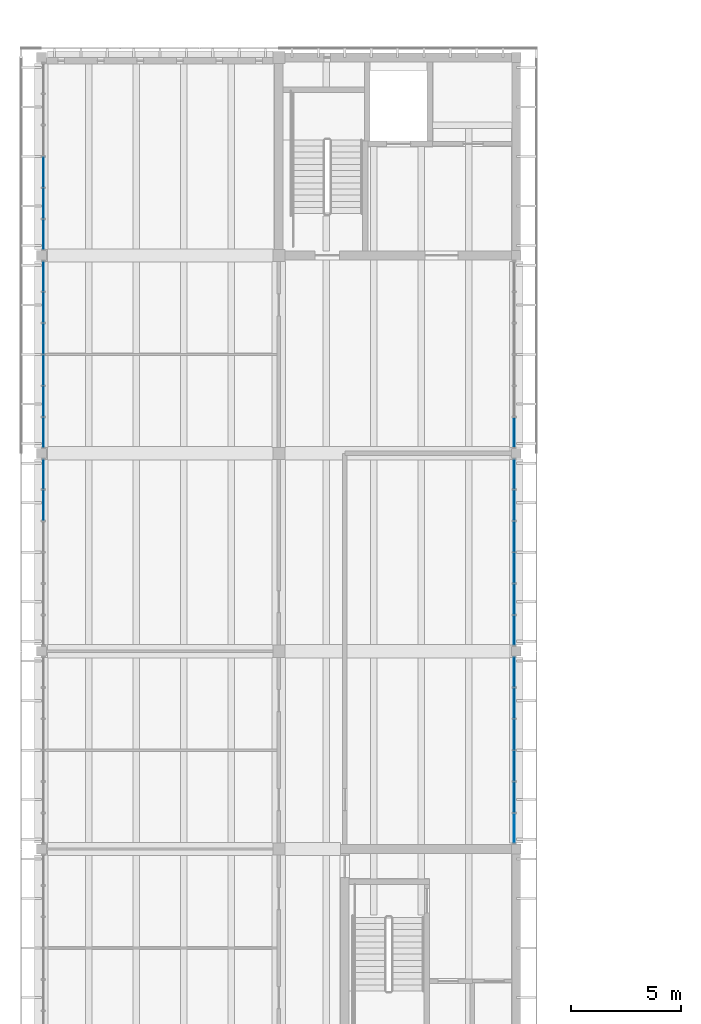
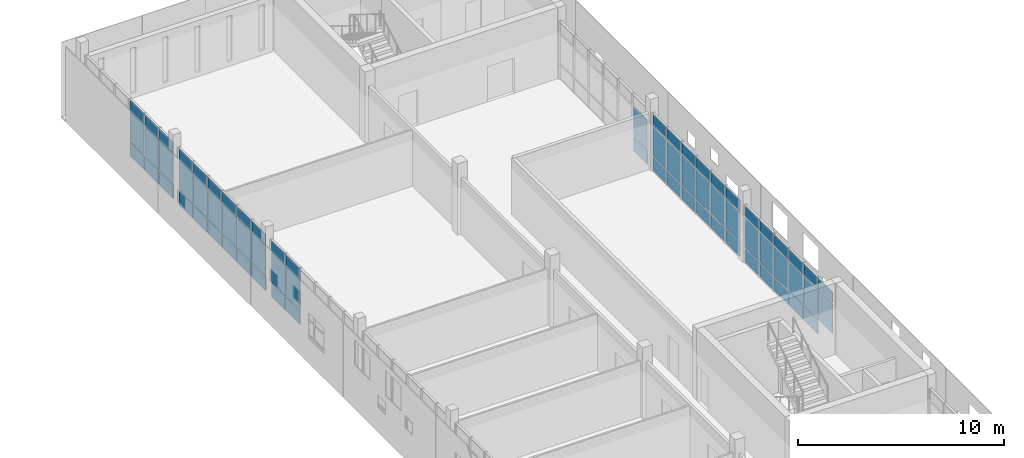
# One storey, part 25 of 50: 70 plates, 6 elements without a shape of their own.
"""IFC4 building model written with IfcOpenShell, lengths in metres."""

from ifc_helpers import new_model, si_unit, direction, frame, origin, origin_2d, place, context, subcontext, project, spatial, rectangle, extrude, material, layer, layer_set, type_object, element, aggregate, save


model = new_model("IFC4")

# Units and contexts
model_context = context("Model", 3, precision=1e-05, world=origin(), true_north=direction((0.0, 1.0)))
body_context = subcontext(model_context, "Body", "Model", "MODEL_VIEW")
ifc_project = project(units=[si_unit("LENGTHUNIT", "METRE"), si_unit("AREAUNIT", "SQUARE_METRE"), si_unit("VOLUMEUNIT", "CUBIC_METRE"), si_unit("PLANEANGLEUNIT", "RADIAN"), si_unit("MASSUNIT", "GRAM", prefix="KILO")], contexts=[model_context])

# Site, building, storey
site_placement = place(None, origin())
site = spatial("IfcSite", under=ifc_project, at=site_placement, CompositionType="ELEMENT")
building_placement = place(site_placement, origin())
building = spatial("IfcBuilding", under=site, at=building_placement, Name="Merrow Basin Faculty of Sciences", CompositionType="ELEMENT")
storey_placement = place(building_placement, frame((0.0, 0.0, 18.0)))
storey = spatial("IfcBuildingStorey", under=building, at=storey_placement, Name="L04", CompositionType="ELEMENT", Elevation=18.0)

# Curtain wall, plates
ifc_material_1 = material(Name="Aluminium alloy 6063", Category="aluminium")
curtain_wall_type = type_object("IfcCurtainWallType", Name="Bar unitised curtain wall 180", PredefinedType="NOTDEFINED", material=ifc_material_1)
curtain_wall_1_placement = place(storey_placement, origin())
curtain_wall_1 = element("IfcCurtainWall", 1, at=curtain_wall_1_placement, inside=storey, type_object=curtain_wall_type, Name="West curtain wall L04 5", PredefinedType="NOTDEFINED")
ifc_material_2 = material(Name="Insulated aluminium spandrel panel", Category="aluminium")
ifc_layer_1 = layer(ifc_material_2, 0.052001953125)
ifc_layer_set_1 = layer_set([ifc_layer_1], Name="Insulated spandrel panel 52")
plate_type_1 = type_object("IfcPlateType", Name="Insulated spandrel panel 52", PredefinedType="CURTAIN_PANEL", material=ifc_layer_set_1)
plate_1_placement = place(storey_placement, frame((0.090087890625, 112.637451171875, 0.06005859375), z_axis=(0.0, 0.0, 1.0), x_axis=(0.0, 1.0, 0.0)))
plate_1 = element("IfcPlate", 2, at=plate_1_placement, type_object=plate_type_1, Name="CW1 panel 5.1", PredefinedType="CURTAIN_PANEL", context=body_context, shape_type="SweptSolid", body=[
    extrude(rectangle(XDim=1.364990234375, YDim=0.052001953125, at=origin_2d()), origin(), (0.0, 0.0, 1.0), 0.81005859375),
])
plate_2_placement = place(storey_placement, frame((0.090087890625, 114.047607421875, 0.06005859375), z_axis=(0.0, 0.0, 1.0), x_axis=(0.0, 1.0, 0.0)))
plate_2 = element("IfcPlate", 3, at=plate_2_placement, type_object=plate_type_1, Name="CW1 panel 6.1", PredefinedType="CURTAIN_PANEL", context=body_context, shape_type="SweptSolid", body=[
    extrude(rectangle(XDim=1.3349609375, YDim=0.052001953125, at=origin_2d()), origin(), (0.0, 0.0, 1.0), 0.81005859375),
])

curtain_wall_2_placement = place(storey_placement, origin())
curtain_wall_2 = element("IfcCurtainWall", 4, at=curtain_wall_2_placement, inside=storey, type_object=curtain_wall_type, Name="West curtain wall L04 6", PredefinedType="NOTDEFINED")
plate_3_placement = place(storey_placement, frame((0.090087890625, 115.952392578125, 0.06005859375), z_axis=(0.0, 0.0, 1.0), x_axis=(0.0, 1.0, 0.0)))
plate_3 = element("IfcPlate", 5, at=plate_3_placement, type_object=plate_type_1, Name="CW1 panel 1.1", PredefinedType="CURTAIN_PANEL", context=body_context, shape_type="SweptSolid", body=[
    extrude(rectangle(XDim=1.3349609375, YDim=0.052001953125, at=origin_2d()), origin(), (0.0, 0.0, 1.0), 0.81005859375),
])
plate_4_placement = place(storey_placement, frame((0.090087890625, 117.362548828125, 0.06005859375), z_axis=(0.0, 0.0, 1.0), x_axis=(0.0, 1.0, 0.0)))
plate_4 = element("IfcPlate", 6, at=plate_4_placement, type_object=plate_type_1, Name="CW1 panel 2.1", PredefinedType="CURTAIN_PANEL", context=body_context, shape_type="SweptSolid", body=[
    extrude(rectangle(XDim=1.364990234375, YDim=0.052001953125, at=origin_2d()), origin(), (0.0, 0.0, 1.0), 0.81005859375),
])
plate_5_placement = place(storey_placement, frame((0.090087890625, 118.78759765625, 0.06005859375), z_axis=(0.0, 0.0, 1.0), x_axis=(0.0, 1.0, 0.0)))
plate_5 = element("IfcPlate", 7, at=plate_5_placement, type_object=plate_type_1, Name="CW1 panel 3.1", PredefinedType="CURTAIN_PANEL", context=body_context, shape_type="SweptSolid", body=[
    extrude(rectangle(XDim=1.364990234375, YDim=0.052001953125, at=origin_2d()), origin(), (0.0, 0.0, 1.0), 0.81005859375),
])
plate_6_placement = place(storey_placement, frame((0.090087890625, 120.21240234375, 0.06005859375), z_axis=(0.0, 0.0, 1.0), x_axis=(0.0, 1.0, 0.0)))
plate_6 = element("IfcPlate", 8, at=plate_6_placement, type_object=plate_type_1, Name="CW1 panel 4.1", PredefinedType="CURTAIN_PANEL", context=body_context, shape_type="SweptSolid", body=[
    extrude(rectangle(XDim=1.364990234375, YDim=0.052001953125, at=origin_2d()), origin(), (0.0, 0.0, 1.0), 0.81005859375),
])
plate_7_placement = place(storey_placement, frame((0.090087890625, 121.637451171875, 0.06005859375), z_axis=(0.0, 0.0, 1.0), x_axis=(0.0, 1.0, 0.0)))
plate_7 = element("IfcPlate", 9, at=plate_7_placement, type_object=plate_type_1, Name="CW1 panel 5.1", PredefinedType="CURTAIN_PANEL", context=body_context, shape_type="SweptSolid", body=[
    extrude(rectangle(XDim=1.364990234375, YDim=0.052001953125, at=origin_2d()), origin(), (0.0, 0.0, 1.0), 0.81005859375),
])
plate_8_placement = place(storey_placement, frame((0.090087890625, 123.047607421875, 0.06005859375), z_axis=(0.0, 0.0, 1.0), x_axis=(0.0, 1.0, 0.0)))
plate_8 = element("IfcPlate", 10, at=plate_8_placement, type_object=plate_type_1, Name="CW1 panel 6.1", PredefinedType="CURTAIN_PANEL", context=body_context, shape_type="SweptSolid", body=[
    extrude(rectangle(XDim=1.3349609375, YDim=0.052001953125, at=origin_2d()), origin(), (0.0, 0.0, 1.0), 0.81005859375),
])

curtain_wall_3_placement = place(storey_placement, origin())
curtain_wall_3 = element("IfcCurtainWall", 11, at=curtain_wall_3_placement, inside=storey, type_object=curtain_wall_type, Name="West curtain wall L04 7", PredefinedType="NOTDEFINED")
plate_9_placement = place(storey_placement, frame((0.090087890625, 124.952392578125, 0.06005859375), z_axis=(0.0, 0.0, 1.0), x_axis=(0.0, 1.0, 0.0)))
plate_9 = element("IfcPlate", 12, at=plate_9_placement, type_object=plate_type_1, Name="CW1 panel 1.1", PredefinedType="CURTAIN_PANEL", context=body_context, shape_type="SweptSolid", body=[
    extrude(rectangle(XDim=1.3349609375, YDim=0.052001953125, at=origin_2d()), origin(), (0.0, 0.0, 1.0), 0.81005859375),
])
plate_10_placement = place(storey_placement, frame((0.090087890625, 126.362548828125, 0.06005859375), z_axis=(0.0, 0.0, 1.0), x_axis=(0.0, 1.0, 0.0)))
plate_10 = element("IfcPlate", 13, at=plate_10_placement, type_object=plate_type_1, Name="CW1 panel 2.1", PredefinedType="CURTAIN_PANEL", context=body_context, shape_type="SweptSolid", body=[
    extrude(rectangle(XDim=1.364990234375, YDim=0.052001953125, at=origin_2d()), origin(), (0.0, 0.0, 1.0), 0.81005859375),
])
plate_11_placement = place(storey_placement, frame((0.090087890625, 127.78759765625, 0.06005859375), z_axis=(0.0, 0.0, 1.0), x_axis=(0.0, 1.0, 0.0)))
plate_11 = element("IfcPlate", 14, at=plate_11_placement, type_object=plate_type_1, Name="CW1 panel 3.1", PredefinedType="CURTAIN_PANEL", context=body_context, shape_type="SweptSolid", body=[
    extrude(rectangle(XDim=1.364990234375, YDim=0.052001953125, at=origin_2d()), origin(), (0.0, 0.0, 1.0), 0.81005859375),
])

curtain_wall_4_placement = place(storey_placement, origin())
curtain_wall_4 = element("IfcCurtainWall", 15, at=curtain_wall_4_placement, inside=storey, type_object=curtain_wall_type, Name="East curtain wall L04 4", PredefinedType="NOTDEFINED")
plate_12_placement = place(storey_placement, frame((21.510009765625, 99.362548828125, 0.06005859375), z_axis=(0.0, 0.0, 1.0), x_axis=(0.0, 1.0, 0.0)))
plate_12 = element("IfcPlate", 16, at=plate_12_placement, type_object=plate_type_1, Name="CW1 panel 2.1", PredefinedType="CURTAIN_PANEL", context=body_context, shape_type="SweptSolid", body=[
    extrude(rectangle(XDim=1.364990234375, YDim=0.052001953125, at=origin_2d()), origin(), (0.0, 0.0, 1.0), 0.81005859375),
])
plate_13_placement = place(storey_placement, frame((21.510009765625, 100.78759765625, 0.06005859375), z_axis=(0.0, 0.0, 1.0), x_axis=(0.0, 1.0, 0.0)))
plate_13 = element("IfcPlate", 17, at=plate_13_placement, type_object=plate_type_1, Name="CW1 panel 3.1", PredefinedType="CURTAIN_PANEL", context=body_context, shape_type="SweptSolid", body=[
    extrude(rectangle(XDim=1.364990234375, YDim=0.052001953125, at=origin_2d()), origin(), (0.0, 0.0, 1.0), 0.81005859375),
])
plate_14_placement = place(storey_placement, frame((21.510009765625, 102.21240234375, 0.06005859375), z_axis=(0.0, 0.0, 1.0), x_axis=(0.0, 1.0, 0.0)))
plate_14 = element("IfcPlate", 18, at=plate_14_placement, type_object=plate_type_1, Name="CW1 panel 4.1", PredefinedType="CURTAIN_PANEL", context=body_context, shape_type="SweptSolid", body=[
    extrude(rectangle(XDim=1.364990234375, YDim=0.052001953125, at=origin_2d()), origin(), (0.0, 0.0, 1.0), 0.81005859375),
])
plate_15_placement = place(storey_placement, frame((21.510009765625, 103.637451171875, 0.06005859375), z_axis=(0.0, 0.0, 1.0), x_axis=(0.0, 1.0, 0.0)))
plate_15 = element("IfcPlate", 19, at=plate_15_placement, type_object=plate_type_1, Name="CW1 panel 5.1", PredefinedType="CURTAIN_PANEL", context=body_context, shape_type="SweptSolid", body=[
    extrude(rectangle(XDim=1.364990234375, YDim=0.052001953125, at=origin_2d()), origin(), (0.0, 0.0, 1.0), 0.81005859375),
])
plate_16_placement = place(storey_placement, frame((21.510009765625, 105.047607421875, 0.06005859375), z_axis=(0.0, 0.0, 1.0), x_axis=(0.0, 1.0, 0.0)))
plate_16 = element("IfcPlate", 20, at=plate_16_placement, type_object=plate_type_1, Name="CW1 panel 6.1", PredefinedType="CURTAIN_PANEL", context=body_context, shape_type="SweptSolid", body=[
    extrude(rectangle(XDim=1.3349609375, YDim=0.052001953125, at=origin_2d()), origin(), (0.0, 0.0, 1.0), 0.81005859375),
])

curtain_wall_5_placement = place(storey_placement, origin())
curtain_wall_5 = element("IfcCurtainWall", 21, at=curtain_wall_5_placement, inside=storey, type_object=curtain_wall_type, Name="East curtain wall L04 5", PredefinedType="NOTDEFINED")
plate_17_placement = place(storey_placement, frame((21.510009765625, 106.952392578125, 0.06005859375), z_axis=(0.0, 0.0, 1.0), x_axis=(0.0, 1.0, 0.0)))
plate_17 = element("IfcPlate", 22, at=plate_17_placement, type_object=plate_type_1, Name="CW1 panel 1.1", PredefinedType="CURTAIN_PANEL", context=body_context, shape_type="SweptSolid", body=[
    extrude(rectangle(XDim=1.3349609375, YDim=0.052001953125, at=origin_2d()), origin(), (0.0, 0.0, 1.0), 0.81005859375),
])
plate_18_placement = place(storey_placement, frame((21.510009765625, 108.362548828125, 0.06005859375), z_axis=(0.0, 0.0, 1.0), x_axis=(0.0, 1.0, 0.0)))
plate_18 = element("IfcPlate", 23, at=plate_18_placement, type_object=plate_type_1, Name="CW1 panel 2.1", PredefinedType="CURTAIN_PANEL", context=body_context, shape_type="SweptSolid", body=[
    extrude(rectangle(XDim=1.364990234375, YDim=0.052001953125, at=origin_2d()), origin(), (0.0, 0.0, 1.0), 0.81005859375),
])
plate_19_placement = place(storey_placement, frame((21.510009765625, 109.78759765625, 0.06005859375), z_axis=(0.0, 0.0, 1.0), x_axis=(0.0, 1.0, 0.0)))
plate_19 = element("IfcPlate", 24, at=plate_19_placement, type_object=plate_type_1, Name="CW1 panel 3.1", PredefinedType="CURTAIN_PANEL", context=body_context, shape_type="SweptSolid", body=[
    extrude(rectangle(XDim=1.364990234375, YDim=0.052001953125, at=origin_2d()), origin(), (0.0, 0.0, 1.0), 0.81005859375),
])
plate_20_placement = place(storey_placement, frame((21.510009765625, 111.21240234375, 0.06005859375), z_axis=(0.0, 0.0, 1.0), x_axis=(0.0, 1.0, 0.0)))
plate_20 = element("IfcPlate", 25, at=plate_20_placement, type_object=plate_type_1, Name="CW1 panel 4.1", PredefinedType="CURTAIN_PANEL", context=body_context, shape_type="SweptSolid", body=[
    extrude(rectangle(XDim=1.364990234375, YDim=0.052001953125, at=origin_2d()), origin(), (0.0, 0.0, 1.0), 0.81005859375),
])
plate_21_placement = place(storey_placement, frame((21.510009765625, 112.637451171875, 0.06005859375), z_axis=(0.0, 0.0, 1.0), x_axis=(0.0, 1.0, 0.0)))
plate_21 = element("IfcPlate", 26, at=plate_21_placement, type_object=plate_type_1, Name="CW1 panel 5.1", PredefinedType="CURTAIN_PANEL", context=body_context, shape_type="SweptSolid", body=[
    extrude(rectangle(XDim=1.364990234375, YDim=0.052001953125, at=origin_2d()), origin(), (0.0, 0.0, 1.0), 0.81005859375),
])
plate_22_placement = place(storey_placement, frame((21.510009765625, 114.047607421875, 0.06005859375), z_axis=(0.0, 0.0, 1.0), x_axis=(0.0, 1.0, 0.0)))
plate_22 = element("IfcPlate", 27, at=plate_22_placement, type_object=plate_type_1, Name="CW1 panel 6.1", PredefinedType="CURTAIN_PANEL", context=body_context, shape_type="SweptSolid", body=[
    extrude(rectangle(XDim=1.3349609375, YDim=0.052001953125, at=origin_2d()), origin(), (0.0, 0.0, 1.0), 0.81005859375),
])

# Curtain wall, plate
curtain_wall_6_placement = place(storey_placement, origin())
curtain_wall_6 = element("IfcCurtainWall", 28, at=curtain_wall_6_placement, inside=storey, type_object=curtain_wall_type, Name="East curtain wall L04 6", PredefinedType="NOTDEFINED")
plate_23_placement = place(storey_placement, frame((21.510009765625, 115.952392578125, 0.06005859375), z_axis=(0.0, 0.0, 1.0), x_axis=(0.0, 1.0, 0.0)))
plate_23 = element("IfcPlate", 29, at=plate_23_placement, type_object=plate_type_1, Name="CW1 panel 1.1", PredefinedType="CURTAIN_PANEL", context=body_context, shape_type="SweptSolid", body=[
    extrude(rectangle(XDim=1.3349609375, YDim=0.052001953125, at=origin_2d()), origin(), (0.0, 0.0, 1.0), 0.81005859375),
])

# Plate
ifc_material_3 = material(Name="Low-E double glazing", Category="glass")
ifc_layer_2 = layer(ifc_material_3, 0.028076171875)
ifc_layer_set_2 = layer_set([ifc_layer_2], Name="Low-E double glazed panel 28")
plate_type_2 = type_object("IfcPlateType", Name="Low-E double glazed panel 28", PredefinedType="CURTAIN_PANEL", material=ifc_layer_set_2)
plate_24_placement = place(storey_placement, frame((0.090087890625, 112.637451171875, 0.93017578125), z_axis=(0.0, 0.0, 1.0), x_axis=(0.0, 1.0, 0.0)))
plate_24 = element("IfcPlate", 30, at=plate_24_placement, type_object=plate_type_2, Name="CW1 panel 5.2", PredefinedType="CURTAIN_PANEL", context=body_context, shape_type="SweptSolid", body=[
    extrude(rectangle(XDim=1.364990234375, YDim=0.028076171875, at=origin_2d()), origin(), (0.0, 0.0, 1.0), 1.739990234375),
])

plate_25_placement = place(storey_placement, frame((0.090087890625, 112.637451171875, 2.72998046875), z_axis=(0.0, 0.0, 1.0), x_axis=(0.0, 1.0, 0.0)))
plate_25 = element("IfcPlate", 31, at=plate_25_placement, type_object=plate_type_2, Name="CW1 panel 5.3", PredefinedType="CURTAIN_PANEL", context=body_context, shape_type="SweptSolid", body=[
    extrude(rectangle(XDim=1.364990234375, YDim=0.028076171875, at=origin_2d()), origin(), (0.0, 0.0, 1.0), 0.659912109375),
])

plate_26_placement = place(storey_placement, frame((0.090087890625, 114.047607421875, 0.93017578125), z_axis=(0.0, 0.0, 1.0), x_axis=(0.0, 1.0, 0.0)))
plate_26 = element("IfcPlate", 32, at=plate_26_placement, type_object=plate_type_2, Name="CW1 panel 6.2", PredefinedType="CURTAIN_PANEL", context=body_context, shape_type="SweptSolid", body=[
    extrude(rectangle(XDim=1.3349609375, YDim=0.028076171875, at=origin_2d()), origin(), (0.0, 0.0, 1.0), 1.739990234375),
])

plate_27_placement = place(storey_placement, frame((0.090087890625, 114.047607421875, 2.72998046875), z_axis=(0.0, 0.0, 1.0), x_axis=(0.0, 1.0, 0.0)))
plate_27 = element("IfcPlate", 33, at=plate_27_placement, type_object=plate_type_2, Name="CW1 panel 6.3", PredefinedType="CURTAIN_PANEL", context=body_context, shape_type="SweptSolid", body=[
    extrude(rectangle(XDim=1.3349609375, YDim=0.028076171875, at=origin_2d()), origin(), (0.0, 0.0, 1.0), 0.659912109375),
])

aggregate(curtain_wall_1, [plate_1, plate_24, plate_25, plate_2, plate_26, plate_27])

plate_28_placement = place(storey_placement, frame((0.090087890625, 115.952392578125, 0.93017578125), z_axis=(0.0, 0.0, 1.0), x_axis=(0.0, 1.0, 0.0)))
plate_28 = element("IfcPlate", 34, at=plate_28_placement, type_object=plate_type_2, Name="CW1 panel 1.2", PredefinedType="CURTAIN_PANEL", context=body_context, shape_type="SweptSolid", body=[
    extrude(rectangle(XDim=1.3349609375, YDim=0.028076171875, at=origin_2d()), origin(), (0.0, 0.0, 1.0), 1.739990234375),
])

plate_29_placement = place(storey_placement, frame((0.090087890625, 115.952392578125, 2.72998046875), z_axis=(0.0, 0.0, 1.0), x_axis=(0.0, 1.0, 0.0)))
plate_29 = element("IfcPlate", 35, at=plate_29_placement, type_object=plate_type_2, Name="CW1 panel 1.3", PredefinedType="CURTAIN_PANEL", context=body_context, shape_type="SweptSolid", body=[
    extrude(rectangle(XDim=1.3349609375, YDim=0.028076171875, at=origin_2d()), origin(), (0.0, 0.0, 1.0), 0.659912109375),
])

plate_30_placement = place(storey_placement, frame((0.090087890625, 117.362548828125, 0.93017578125), z_axis=(0.0, 0.0, 1.0), x_axis=(0.0, 1.0, 0.0)))
plate_30 = element("IfcPlate", 36, at=plate_30_placement, type_object=plate_type_2, Name="CW1 panel 2.2", PredefinedType="CURTAIN_PANEL", context=body_context, shape_type="SweptSolid", body=[
    extrude(rectangle(XDim=1.364990234375, YDim=0.028076171875, at=origin_2d()), origin(), (0.0, 0.0, 1.0), 1.739990234375),
])

plate_31_placement = place(storey_placement, frame((0.090087890625, 117.362548828125, 2.72998046875), z_axis=(0.0, 0.0, 1.0), x_axis=(0.0, 1.0, 0.0)))
plate_31 = element("IfcPlate", 37, at=plate_31_placement, type_object=plate_type_2, Name="CW1 panel 2.3", PredefinedType="CURTAIN_PANEL", context=body_context, shape_type="SweptSolid", body=[
    extrude(rectangle(XDim=1.364990234375, YDim=0.028076171875, at=origin_2d()), origin(), (0.0, 0.0, 1.0), 0.659912109375),
])

plate_32_placement = place(storey_placement, frame((0.090087890625, 118.78759765625, 0.93017578125), z_axis=(0.0, 0.0, 1.0), x_axis=(0.0, 1.0, 0.0)))
plate_32 = element("IfcPlate", 38, at=plate_32_placement, type_object=plate_type_2, Name="CW1 panel 3.2", PredefinedType="CURTAIN_PANEL", context=body_context, shape_type="SweptSolid", body=[
    extrude(rectangle(XDim=1.364990234375, YDim=0.028076171875, at=origin_2d()), origin(), (0.0, 0.0, 1.0), 1.739990234375),
])

plate_33_placement = place(storey_placement, frame((0.090087890625, 118.78759765625, 2.72998046875), z_axis=(0.0, 0.0, 1.0), x_axis=(0.0, 1.0, 0.0)))
plate_33 = element("IfcPlate", 39, at=plate_33_placement, type_object=plate_type_2, Name="CW1 panel 3.3", PredefinedType="CURTAIN_PANEL", context=body_context, shape_type="SweptSolid", body=[
    extrude(rectangle(XDim=1.364990234375, YDim=0.028076171875, at=origin_2d()), origin(), (0.0, 0.0, 1.0), 0.659912109375),
])

plate_34_placement = place(storey_placement, frame((0.090087890625, 120.21240234375, 0.93017578125), z_axis=(0.0, 0.0, 1.0), x_axis=(0.0, 1.0, 0.0)))
plate_34 = element("IfcPlate", 40, at=plate_34_placement, type_object=plate_type_2, Name="CW1 panel 4.2", PredefinedType="CURTAIN_PANEL", context=body_context, shape_type="SweptSolid", body=[
    extrude(rectangle(XDim=1.364990234375, YDim=0.028076171875, at=origin_2d()), origin(), (0.0, 0.0, 1.0), 1.739990234375),
])

plate_35_placement = place(storey_placement, frame((0.090087890625, 120.21240234375, 2.72998046875), z_axis=(0.0, 0.0, 1.0), x_axis=(0.0, 1.0, 0.0)))
plate_35 = element("IfcPlate", 41, at=plate_35_placement, type_object=plate_type_2, Name="CW1 panel 4.3", PredefinedType="CURTAIN_PANEL", context=body_context, shape_type="SweptSolid", body=[
    extrude(rectangle(XDim=1.364990234375, YDim=0.028076171875, at=origin_2d()), origin(), (0.0, 0.0, 1.0), 0.659912109375),
])

plate_36_placement = place(storey_placement, frame((0.090087890625, 121.637451171875, 0.93017578125), z_axis=(0.0, 0.0, 1.0), x_axis=(0.0, 1.0, 0.0)))
plate_36 = element("IfcPlate", 42, at=plate_36_placement, type_object=plate_type_2, Name="CW1 panel 5.2", PredefinedType="CURTAIN_PANEL", context=body_context, shape_type="SweptSolid", body=[
    extrude(rectangle(XDim=1.364990234375, YDim=0.028076171875, at=origin_2d()), origin(), (0.0, 0.0, 1.0), 1.739990234375),
])

plate_37_placement = place(storey_placement, frame((0.090087890625, 121.637451171875, 2.72998046875), z_axis=(0.0, 0.0, 1.0), x_axis=(0.0, 1.0, 0.0)))
plate_37 = element("IfcPlate", 43, at=plate_37_placement, type_object=plate_type_2, Name="CW1 panel 5.3", PredefinedType="CURTAIN_PANEL", context=body_context, shape_type="SweptSolid", body=[
    extrude(rectangle(XDim=1.364990234375, YDim=0.028076171875, at=origin_2d()), origin(), (0.0, 0.0, 1.0), 0.659912109375),
])

plate_38_placement = place(storey_placement, frame((0.090087890625, 123.047607421875, 0.93017578125), z_axis=(0.0, 0.0, 1.0), x_axis=(0.0, 1.0, 0.0)))
plate_38 = element("IfcPlate", 44, at=plate_38_placement, type_object=plate_type_2, Name="CW1 panel 6.2", PredefinedType="CURTAIN_PANEL", context=body_context, shape_type="SweptSolid", body=[
    extrude(rectangle(XDim=1.3349609375, YDim=0.028076171875, at=origin_2d()), origin(), (0.0, 0.0, 1.0), 1.739990234375),
])

plate_39_placement = place(storey_placement, frame((0.090087890625, 123.047607421875, 2.72998046875), z_axis=(0.0, 0.0, 1.0), x_axis=(0.0, 1.0, 0.0)))
plate_39 = element("IfcPlate", 45, at=plate_39_placement, type_object=plate_type_2, Name="CW1 panel 6.3", PredefinedType="CURTAIN_PANEL", context=body_context, shape_type="SweptSolid", body=[
    extrude(rectangle(XDim=1.3349609375, YDim=0.028076171875, at=origin_2d()), origin(), (0.0, 0.0, 1.0), 0.659912109375),
])

aggregate(curtain_wall_2, [plate_3, plate_28, plate_29, plate_4, plate_30, plate_31, plate_5, plate_32, plate_33, plate_6, plate_34, plate_35, plate_7, plate_36, plate_37, plate_8, plate_38, plate_39])

plate_40_placement = place(storey_placement, frame((0.090087890625, 124.952392578125, 0.93017578125), z_axis=(0.0, 0.0, 1.0), x_axis=(0.0, 1.0, 0.0)))
plate_40 = element("IfcPlate", 46, at=plate_40_placement, type_object=plate_type_2, Name="CW1 panel 1.2", PredefinedType="CURTAIN_PANEL", context=body_context, shape_type="SweptSolid", body=[
    extrude(rectangle(XDim=1.3349609375, YDim=0.028076171875, at=origin_2d()), origin(), (0.0, 0.0, 1.0), 1.739990234375),
])

plate_41_placement = place(storey_placement, frame((0.090087890625, 124.952392578125, 2.72998046875), z_axis=(0.0, 0.0, 1.0), x_axis=(0.0, 1.0, 0.0)))
plate_41 = element("IfcPlate", 47, at=plate_41_placement, type_object=plate_type_2, Name="CW1 panel 1.3", PredefinedType="CURTAIN_PANEL", context=body_context, shape_type="SweptSolid", body=[
    extrude(rectangle(XDim=1.3349609375, YDim=0.028076171875, at=origin_2d()), origin(), (0.0, 0.0, 1.0), 0.659912109375),
])

plate_42_placement = place(storey_placement, frame((0.090087890625, 126.362548828125, 0.93017578125), z_axis=(0.0, 0.0, 1.0), x_axis=(0.0, 1.0, 0.0)))
plate_42 = element("IfcPlate", 48, at=plate_42_placement, type_object=plate_type_2, Name="CW1 panel 2.2", PredefinedType="CURTAIN_PANEL", context=body_context, shape_type="SweptSolid", body=[
    extrude(rectangle(XDim=1.364990234375, YDim=0.028076171875, at=origin_2d()), origin(), (0.0, 0.0, 1.0), 1.739990234375),
])

plate_43_placement = place(storey_placement, frame((0.090087890625, 126.362548828125, 2.72998046875), z_axis=(0.0, 0.0, 1.0), x_axis=(0.0, 1.0, 0.0)))
plate_43 = element("IfcPlate", 49, at=plate_43_placement, type_object=plate_type_2, Name="CW1 panel 2.3", PredefinedType="CURTAIN_PANEL", context=body_context, shape_type="SweptSolid", body=[
    extrude(rectangle(XDim=1.364990234375, YDim=0.028076171875, at=origin_2d()), origin(), (0.0, 0.0, 1.0), 0.659912109375),
])

plate_44_placement = place(storey_placement, frame((0.090087890625, 127.78759765625, 0.93017578125), z_axis=(0.0, 0.0, 1.0), x_axis=(0.0, 1.0, 0.0)))
plate_44 = element("IfcPlate", 50, at=plate_44_placement, type_object=plate_type_2, Name="CW1 panel 3.2", PredefinedType="CURTAIN_PANEL", context=body_context, shape_type="SweptSolid", body=[
    extrude(rectangle(XDim=1.364990234375, YDim=0.028076171875, at=origin_2d()), origin(), (0.0, 0.0, 1.0), 1.739990234375),
])

plate_45_placement = place(storey_placement, frame((0.090087890625, 127.78759765625, 2.72998046875), z_axis=(0.0, 0.0, 1.0), x_axis=(0.0, 1.0, 0.0)))
plate_45 = element("IfcPlate", 51, at=plate_45_placement, type_object=plate_type_2, Name="CW1 panel 3.3", PredefinedType="CURTAIN_PANEL", context=body_context, shape_type="SweptSolid", body=[
    extrude(rectangle(XDim=1.364990234375, YDim=0.028076171875, at=origin_2d()), origin(), (0.0, 0.0, 1.0), 0.659912109375),
])

aggregate(curtain_wall_3, [plate_9, plate_40, plate_41, plate_10, plate_42, plate_43, plate_11, plate_44, plate_45])

plate_46_placement = place(storey_placement, frame((21.510009765625, 97.952392578125, 0.93017578125), z_axis=(0.0, 0.0, 1.0), x_axis=(0.0, 1.0, 0.0)))
plate_46 = element("IfcPlate", 52, at=plate_46_placement, type_object=plate_type_2, Name="CW1 panel 1.2", PredefinedType="CURTAIN_PANEL", context=body_context, shape_type="SweptSolid", body=[
    extrude(rectangle(XDim=1.3349609375, YDim=0.028076171875, at=origin_2d()), origin(), (0.0, 0.0, 1.0), 1.739990234375),
])

plate_47_placement = place(storey_placement, frame((21.510009765625, 97.952392578125, 2.72998046875), z_axis=(0.0, 0.0, 1.0), x_axis=(0.0, 1.0, 0.0)))
plate_47 = element("IfcPlate", 53, at=plate_47_placement, type_object=plate_type_2, Name="CW1 panel 1.3", PredefinedType="CURTAIN_PANEL", context=body_context, shape_type="SweptSolid", body=[
    extrude(rectangle(XDim=1.3349609375, YDim=0.028076171875, at=origin_2d()), origin(), (0.0, 0.0, 1.0), 0.659912109375),
])

plate_48_placement = place(storey_placement, frame((21.510009765625, 99.362548828125, 0.93017578125), z_axis=(0.0, 0.0, 1.0), x_axis=(0.0, 1.0, 0.0)))
plate_48 = element("IfcPlate", 54, at=plate_48_placement, type_object=plate_type_2, Name="CW1 panel 2.2", PredefinedType="CURTAIN_PANEL", context=body_context, shape_type="SweptSolid", body=[
    extrude(rectangle(XDim=1.364990234375, YDim=0.028076171875, at=origin_2d()), origin(), (0.0, 0.0, 1.0), 1.739990234375),
])

plate_49_placement = place(storey_placement, frame((21.510009765625, 99.362548828125, 2.72998046875), z_axis=(0.0, 0.0, 1.0), x_axis=(0.0, 1.0, 0.0)))
plate_49 = element("IfcPlate", 55, at=plate_49_placement, type_object=plate_type_2, Name="CW1 panel 2.3", PredefinedType="CURTAIN_PANEL", context=body_context, shape_type="SweptSolid", body=[
    extrude(rectangle(XDim=1.364990234375, YDim=0.028076171875, at=origin_2d()), origin(), (0.0, 0.0, 1.0), 0.659912109375),
])

plate_50_placement = place(storey_placement, frame((21.510009765625, 100.78759765625, 0.93017578125), z_axis=(0.0, 0.0, 1.0), x_axis=(0.0, 1.0, 0.0)))
plate_50 = element("IfcPlate", 56, at=plate_50_placement, type_object=plate_type_2, Name="CW1 panel 3.2", PredefinedType="CURTAIN_PANEL", context=body_context, shape_type="SweptSolid", body=[
    extrude(rectangle(XDim=1.364990234375, YDim=0.028076171875, at=origin_2d()), origin(), (0.0, 0.0, 1.0), 1.739990234375),
])

plate_51_placement = place(storey_placement, frame((21.510009765625, 100.78759765625, 2.72998046875), z_axis=(0.0, 0.0, 1.0), x_axis=(0.0, 1.0, 0.0)))
plate_51 = element("IfcPlate", 57, at=plate_51_placement, type_object=plate_type_2, Name="CW1 panel 3.3", PredefinedType="CURTAIN_PANEL", context=body_context, shape_type="SweptSolid", body=[
    extrude(rectangle(XDim=1.364990234375, YDim=0.028076171875, at=origin_2d()), origin(), (0.0, 0.0, 1.0), 0.659912109375),
])

plate_52_placement = place(storey_placement, frame((21.510009765625, 102.21240234375, 0.93017578125), z_axis=(0.0, 0.0, 1.0), x_axis=(0.0, 1.0, 0.0)))
plate_52 = element("IfcPlate", 58, at=plate_52_placement, type_object=plate_type_2, Name="CW1 panel 4.2", PredefinedType="CURTAIN_PANEL", context=body_context, shape_type="SweptSolid", body=[
    extrude(rectangle(XDim=1.364990234375, YDim=0.028076171875, at=origin_2d()), origin(), (0.0, 0.0, 1.0), 1.739990234375),
])

plate_53_placement = place(storey_placement, frame((21.510009765625, 102.21240234375, 2.72998046875), z_axis=(0.0, 0.0, 1.0), x_axis=(0.0, 1.0, 0.0)))
plate_53 = element("IfcPlate", 59, at=plate_53_placement, type_object=plate_type_2, Name="CW1 panel 4.3", PredefinedType="CURTAIN_PANEL", context=body_context, shape_type="SweptSolid", body=[
    extrude(rectangle(XDim=1.364990234375, YDim=0.028076171875, at=origin_2d()), origin(), (0.0, 0.0, 1.0), 0.659912109375),
])

plate_54_placement = place(storey_placement, frame((21.510009765625, 103.637451171875, 0.93017578125), z_axis=(0.0, 0.0, 1.0), x_axis=(0.0, 1.0, 0.0)))
plate_54 = element("IfcPlate", 60, at=plate_54_placement, type_object=plate_type_2, Name="CW1 panel 5.2", PredefinedType="CURTAIN_PANEL", context=body_context, shape_type="SweptSolid", body=[
    extrude(rectangle(XDim=1.364990234375, YDim=0.028076171875, at=origin_2d()), origin(), (0.0, 0.0, 1.0), 1.739990234375),
])

plate_55_placement = place(storey_placement, frame((21.510009765625, 103.637451171875, 2.72998046875), z_axis=(0.0, 0.0, 1.0), x_axis=(0.0, 1.0, 0.0)))
plate_55 = element("IfcPlate", 61, at=plate_55_placement, type_object=plate_type_2, Name="CW1 panel 5.3", PredefinedType="CURTAIN_PANEL", context=body_context, shape_type="SweptSolid", body=[
    extrude(rectangle(XDim=1.364990234375, YDim=0.028076171875, at=origin_2d()), origin(), (0.0, 0.0, 1.0), 0.659912109375),
])

plate_56_placement = place(storey_placement, frame((21.510009765625, 105.047607421875, 0.93017578125), z_axis=(0.0, 0.0, 1.0), x_axis=(0.0, 1.0, 0.0)))
plate_56 = element("IfcPlate", 62, at=plate_56_placement, type_object=plate_type_2, Name="CW1 panel 6.2", PredefinedType="CURTAIN_PANEL", context=body_context, shape_type="SweptSolid", body=[
    extrude(rectangle(XDim=1.3349609375, YDim=0.028076171875, at=origin_2d()), origin(), (0.0, 0.0, 1.0), 1.739990234375),
])

plate_57_placement = place(storey_placement, frame((21.510009765625, 105.047607421875, 2.72998046875), z_axis=(0.0, 0.0, 1.0), x_axis=(0.0, 1.0, 0.0)))
plate_57 = element("IfcPlate", 63, at=plate_57_placement, type_object=plate_type_2, Name="CW1 panel 6.3", PredefinedType="CURTAIN_PANEL", context=body_context, shape_type="SweptSolid", body=[
    extrude(rectangle(XDim=1.3349609375, YDim=0.028076171875, at=origin_2d()), origin(), (0.0, 0.0, 1.0), 0.659912109375),
])

aggregate(curtain_wall_4, [plate_46, plate_47, plate_12, plate_48, plate_49, plate_13, plate_50, plate_51, plate_14, plate_52, plate_53, plate_15, plate_54, plate_55, plate_16, plate_56, plate_57])

plate_58_placement = place(storey_placement, frame((21.510009765625, 106.952392578125, 0.93017578125), z_axis=(0.0, 0.0, 1.0), x_axis=(0.0, 1.0, 0.0)))
plate_58 = element("IfcPlate", 64, at=plate_58_placement, type_object=plate_type_2, Name="CW1 panel 1.2", PredefinedType="CURTAIN_PANEL", context=body_context, shape_type="SweptSolid", body=[
    extrude(rectangle(XDim=1.3349609375, YDim=0.028076171875, at=origin_2d()), origin(), (0.0, 0.0, 1.0), 1.739990234375),
])

plate_59_placement = place(storey_placement, frame((21.510009765625, 106.952392578125, 2.72998046875), z_axis=(0.0, 0.0, 1.0), x_axis=(0.0, 1.0, 0.0)))
plate_59 = element("IfcPlate", 65, at=plate_59_placement, type_object=plate_type_2, Name="CW1 panel 1.3", PredefinedType="CURTAIN_PANEL", context=body_context, shape_type="SweptSolid", body=[
    extrude(rectangle(XDim=1.3349609375, YDim=0.028076171875, at=origin_2d()), origin(), (0.0, 0.0, 1.0), 0.659912109375),
])

plate_60_placement = place(storey_placement, frame((21.510009765625, 108.362548828125, 0.93017578125), z_axis=(0.0, 0.0, 1.0), x_axis=(0.0, 1.0, 0.0)))
plate_60 = element("IfcPlate", 66, at=plate_60_placement, type_object=plate_type_2, Name="CW1 panel 2.2", PredefinedType="CURTAIN_PANEL", context=body_context, shape_type="SweptSolid", body=[
    extrude(rectangle(XDim=1.364990234375, YDim=0.028076171875, at=origin_2d()), origin(), (0.0, 0.0, 1.0), 1.739990234375),
])

plate_61_placement = place(storey_placement, frame((21.510009765625, 108.362548828125, 2.72998046875), z_axis=(0.0, 0.0, 1.0), x_axis=(0.0, 1.0, 0.0)))
plate_61 = element("IfcPlate", 67, at=plate_61_placement, type_object=plate_type_2, Name="CW1 panel 2.3", PredefinedType="CURTAIN_PANEL", context=body_context, shape_type="SweptSolid", body=[
    extrude(rectangle(XDim=1.364990234375, YDim=0.028076171875, at=origin_2d()), origin(), (0.0, 0.0, 1.0), 0.659912109375),
])

plate_62_placement = place(storey_placement, frame((21.510009765625, 109.78759765625, 0.93017578125), z_axis=(0.0, 0.0, 1.0), x_axis=(0.0, 1.0, 0.0)))
plate_62 = element("IfcPlate", 68, at=plate_62_placement, type_object=plate_type_2, Name="CW1 panel 3.2", PredefinedType="CURTAIN_PANEL", context=body_context, shape_type="SweptSolid", body=[
    extrude(rectangle(XDim=1.364990234375, YDim=0.028076171875, at=origin_2d()), origin(), (0.0, 0.0, 1.0), 1.739990234375),
])

plate_63_placement = place(storey_placement, frame((21.510009765625, 109.78759765625, 2.72998046875), z_axis=(0.0, 0.0, 1.0), x_axis=(0.0, 1.0, 0.0)))
plate_63 = element("IfcPlate", 69, at=plate_63_placement, type_object=plate_type_2, Name="CW1 panel 3.3", PredefinedType="CURTAIN_PANEL", context=body_context, shape_type="SweptSolid", body=[
    extrude(rectangle(XDim=1.364990234375, YDim=0.028076171875, at=origin_2d()), origin(), (0.0, 0.0, 1.0), 0.659912109375),
])

plate_64_placement = place(storey_placement, frame((21.510009765625, 111.21240234375, 0.93017578125), z_axis=(0.0, 0.0, 1.0), x_axis=(0.0, 1.0, 0.0)))
plate_64 = element("IfcPlate", 70, at=plate_64_placement, type_object=plate_type_2, Name="CW1 panel 4.2", PredefinedType="CURTAIN_PANEL", context=body_context, shape_type="SweptSolid", body=[
    extrude(rectangle(XDim=1.364990234375, YDim=0.028076171875, at=origin_2d()), origin(), (0.0, 0.0, 1.0), 1.739990234375),
])

plate_65_placement = place(storey_placement, frame((21.510009765625, 111.21240234375, 2.72998046875), z_axis=(0.0, 0.0, 1.0), x_axis=(0.0, 1.0, 0.0)))
plate_65 = element("IfcPlate", 71, at=plate_65_placement, type_object=plate_type_2, Name="CW1 panel 4.3", PredefinedType="CURTAIN_PANEL", context=body_context, shape_type="SweptSolid", body=[
    extrude(rectangle(XDim=1.364990234375, YDim=0.028076171875, at=origin_2d()), origin(), (0.0, 0.0, 1.0), 0.659912109375),
])

plate_66_placement = place(storey_placement, frame((21.510009765625, 112.637451171875, 0.93017578125), z_axis=(0.0, 0.0, 1.0), x_axis=(0.0, 1.0, 0.0)))
plate_66 = element("IfcPlate", 72, at=plate_66_placement, type_object=plate_type_2, Name="CW1 panel 5.2", PredefinedType="CURTAIN_PANEL", context=body_context, shape_type="SweptSolid", body=[
    extrude(rectangle(XDim=1.364990234375, YDim=0.028076171875, at=origin_2d()), origin(), (0.0, 0.0, 1.0), 1.739990234375),
])

plate_67_placement = place(storey_placement, frame((21.510009765625, 112.637451171875, 2.72998046875), z_axis=(0.0, 0.0, 1.0), x_axis=(0.0, 1.0, 0.0)))
plate_67 = element("IfcPlate", 73, at=plate_67_placement, type_object=plate_type_2, Name="CW1 panel 5.3", PredefinedType="CURTAIN_PANEL", context=body_context, shape_type="SweptSolid", body=[
    extrude(rectangle(XDim=1.364990234375, YDim=0.028076171875, at=origin_2d()), origin(), (0.0, 0.0, 1.0), 0.659912109375),
])

plate_68_placement = place(storey_placement, frame((21.510009765625, 114.047607421875, 0.93017578125), z_axis=(0.0, 0.0, 1.0), x_axis=(0.0, 1.0, 0.0)))
plate_68 = element("IfcPlate", 74, at=plate_68_placement, type_object=plate_type_2, Name="CW1 panel 6.2", PredefinedType="CURTAIN_PANEL", context=body_context, shape_type="SweptSolid", body=[
    extrude(rectangle(XDim=1.3349609375, YDim=0.028076171875, at=origin_2d()), origin(), (0.0, 0.0, 1.0), 1.739990234375),
])

plate_69_placement = place(storey_placement, frame((21.510009765625, 114.047607421875, 2.72998046875), z_axis=(0.0, 0.0, 1.0), x_axis=(0.0, 1.0, 0.0)))
plate_69 = element("IfcPlate", 75, at=plate_69_placement, type_object=plate_type_2, Name="CW1 panel 6.3", PredefinedType="CURTAIN_PANEL", context=body_context, shape_type="SweptSolid", body=[
    extrude(rectangle(XDim=1.3349609375, YDim=0.028076171875, at=origin_2d()), origin(), (0.0, 0.0, 1.0), 0.659912109375),
])

aggregate(curtain_wall_5, [plate_17, plate_58, plate_59, plate_18, plate_60, plate_61, plate_19, plate_62, plate_63, plate_20, plate_64, plate_65, plate_21, plate_66, plate_67, plate_22, plate_68, plate_69])

plate_70_placement = place(storey_placement, frame((21.510009765625, 115.952392578125, 0.93017578125), z_axis=(0.0, 0.0, 1.0), x_axis=(0.0, 1.0, 0.0)))
plate_70 = element("IfcPlate", 76, at=plate_70_placement, type_object=plate_type_2, Name="CW1 panel 1.2", PredefinedType="CURTAIN_PANEL", context=body_context, shape_type="SweptSolid", body=[
    extrude(rectangle(XDim=1.3349609375, YDim=0.028076171875, at=origin_2d()), origin(), (0.0, 0.0, 1.0), 1.739990234375),
])

aggregate(curtain_wall_6, [plate_23, plate_70])

save(model, "model.ifc")
